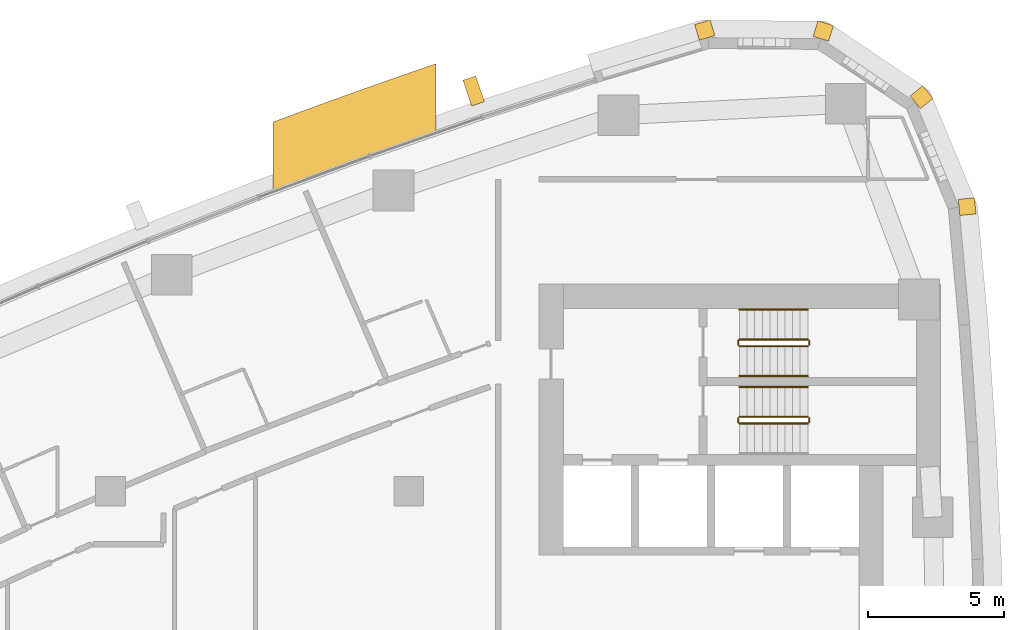
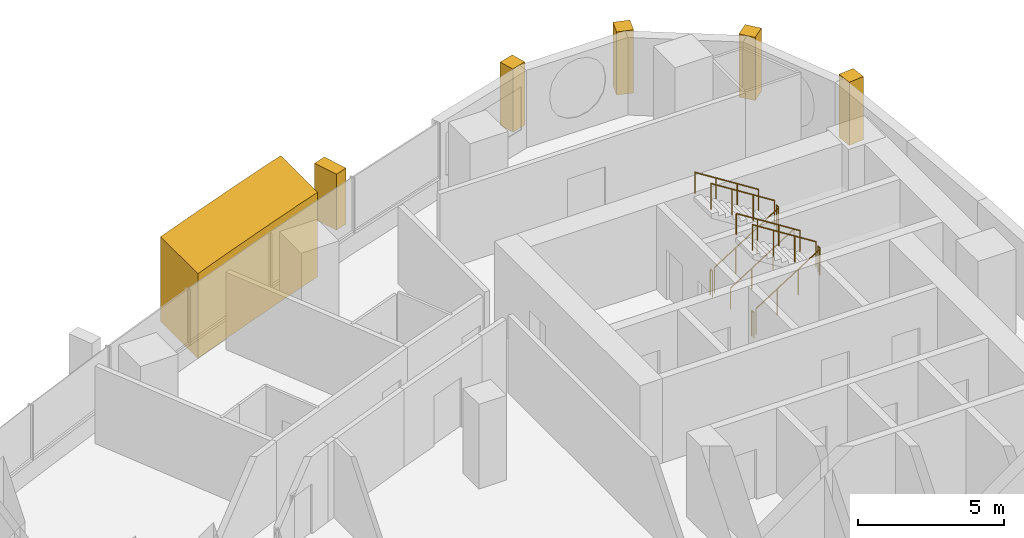
# One storey, part 17 of 17: 11 railings, 6 coverings.
"""IFC4 building model written with IfcOpenShell, lengths in metres."""

import ifcopenshell
import ifcopenshell.guid

model = None  # the IFC model being written
_history = None  # IfcOwnerHistory: only IFC2X3 demands one
_inside = {}  # id of a spatial element -> (the spatial element, [elements in it])
_under = {}  # id of a project, library or spatial element -> (it, [spatial elements below it])
_declared = {}  # id of a project -> (the project, [libraries it declares])
_typed = {}  # id of a type object -> (the type object, [elements of that type])
_made_of = {}  # id of a material, layer set ... -> (it, [elements and type objects made of it])


def new_model(schema):
    """Start an empty IFC model of exactly this schema.

    Asked for "IFC4X3", IfcOpenShell would pick the latest addendum, in which some entities
    have other attributes; the version numbers below select the first issue.
    IFC2X3 requires an IfcOwnerHistory on every rooted entity: one is made here for all.
    """
    global model, _history
    if schema == "IFC4X3":
        model = ifcopenshell.file(schema_version=(4, 3, 0, 0))
    else:
        model = ifcopenshell.file(schema=schema)
    _inside.clear()
    _under.clear()
    _declared.clear()
    _typed.clear()
    _made_of.clear()
    _history = None
    if model.schema == "IFC2X3":
        org = make("IfcOrganization", Name="unknown")
        user = make(
            "IfcPersonAndOrganization",
            ThePerson=make("IfcPerson", FamilyName="unknown"),
            TheOrganization=org,
        )
        app = make(
            "IfcApplication",
            ApplicationDeveloper=org,
            Version="unknown",
            ApplicationFullName="unknown",
            ApplicationIdentifier="unknown",
        )
        _history = make(
            "IfcOwnerHistory",
            OwningUser=user,
            OwningApplication=app,
            ChangeAction="ADDED",
            CreationDate=0,
        )
    return model


def make(cls, **values):
    """One entity of the class cls with the attributes given. An attribute that is None is left unset."""
    return model.create_entity(
        cls, **{name: value for name, value in values.items() if value is not None}
    )


def rooted(cls, **values):
    """An entity with a GlobalId (a new one), such as an element, a storey or a relation."""
    return make(cls, GlobalId=ifcopenshell.guid.new(), OwnerHistory=_history, **values)


def si_unit(unit_type, name, prefix=None):
    """IfcSIUnit, for example si_unit("LENGTHUNIT", "METRE", prefix="MILLI")."""
    return make("IfcSIUnit", UnitType=unit_type, Prefix=prefix, Name=name)


def assignment(units):
    """IfcUnitAssignment: the units of a project."""
    return None if units is None else make("IfcUnitAssignment", Units=units)


def point(xyz):
    """IfcCartesianPoint."""
    return None if xyz is None else make("IfcCartesianPoint", Coordinates=xyz)


def direction(xyz):
    """IfcDirection."""
    return None if xyz is None else make("IfcDirection", DirectionRatios=xyz)


def frame(location, z_axis=None, x_axis=None):
    """IfcAxis2Placement3D, a coordinate frame: its origin and axes. An axis left out is left unset."""
    return make(
        "IfcAxis2Placement3D",
        Location=point(location),
        Axis=direction(z_axis),
        RefDirection=direction(x_axis),
    )


def frame_2d(location, x_axis=None):
    """IfcAxis2Placement2D, a coordinate frame in the plane: its origin and x axis."""
    return make(
        "IfcAxis2Placement2D", Location=point(location), RefDirection=direction(x_axis)
    )


def origin():
    """The frame at (0, 0, 0) with its axes left unset."""
    return frame((0.0, 0.0, 0.0))


def origin_2d():
    """The frame at (0, 0) in the plane with its x axis left unset."""
    return frame_2d((0.0, 0.0))


def place(relative_to, where):
    """IfcLocalPlacement: puts the frame where relative to a parent placement (None: the world)."""
    return make(
        "IfcLocalPlacement", PlacementRelTo=relative_to, RelativePlacement=where
    )


def context(
    kind, dimensions, precision=None, world=None, true_north=None, identifier=None
):
    """IfcGeometricRepresentationContext, for example the 3D "Model" context."""
    return make(
        "IfcGeometricRepresentationContext",
        ContextIdentifier=identifier,
        ContextType=kind,
        CoordinateSpaceDimension=dimensions,
        Precision=precision,
        WorldCoordinateSystem=world,
        TrueNorth=true_north,
    )


def subcontext(parent, identifier, kind, view, scale=None):
    """IfcGeometricRepresentationSubContext, for example "Body" below "Model"."""
    return make(
        "IfcGeometricRepresentationSubContext",
        ContextIdentifier=identifier,
        ContextType=kind,
        ParentContext=parent,
        TargetScale=scale,
        TargetView=view,
    )


def project(units=None, contexts=None):
    """IfcProject with its units and contexts."""
    return rooted(
        "IfcProject",
        Name="project",
        RepresentationContexts=contexts,
        UnitsInContext=assignment(units),
    )


def spatial(cls, under=None, at=None, **own):
    """A site, building, storey or space (cls), placed at a placement, below another one or the project."""
    s = rooted(cls, ObjectPlacement=at, **own)
    if under is not None:
        _under.setdefault(under.id(), (under, []))[1].append(s)
    return s


def polyline(points):
    """IfcPolyline through the points."""
    return make("IfcPolyline", Points=[point(p) for p in points])


def profile(cls, at=None, kind="AREA", **sizes):
    """A parametric profile (cls). Its sizes go by their IFC names, for example OverallWidth=200.0."""
    return make(cls, ProfileType=kind, Position=at, **sizes)


def rectangle(**sizes):
    """IfcRectangleProfileDef."""
    return profile("IfcRectangleProfileDef", **sizes)


def circle(**sizes):
    """IfcCircleProfileDef."""
    return profile("IfcCircleProfileDef", **sizes)


def outline(outer, holes=None, kind="AREA"):
    """IfcArbitraryClosedProfileDef: a profile drawn as a closed curve; with holes, ...WithVoids."""
    if holes is None:
        return make("IfcArbitraryClosedProfileDef", ProfileType=kind, OuterCurve=outer)
    return make(
        "IfcArbitraryProfileDefWithVoids",
        ProfileType=kind,
        OuterCurve=outer,
        InnerCurves=holes,
    )


def extrude(swept, where, along, depth):
    """IfcExtrudedAreaSolid: the profile swept, set in the frame where, extruded along a direction by depth."""
    return make(
        "IfcExtrudedAreaSolid",
        SweptArea=swept,
        Position=where,
        ExtrudedDirection=direction(along),
        Depth=depth,
    )


def shape(context_of_items, identifier, shape_type, items):
    """IfcShapeRepresentation: the items that make up one representation, for example the "Body"."""
    return make(
        "IfcShapeRepresentation",
        ContextOfItems=context_of_items,
        RepresentationIdentifier=identifier,
        RepresentationType=shape_type,
        Items=items,
    )


def material(Name=None, Category=None):
    """IfcMaterial."""
    return make("IfcMaterial", Name=Name, Category=Category)


def layer(
    of_material, thickness, ventilated=None, Name=None, Category=None, Priority=None
):
    """IfcMaterialLayer: one layer of a wall or slab, of a material (None: an air gap)."""
    return make(
        "IfcMaterialLayer",
        Material=of_material,
        LayerThickness=thickness,
        IsVentilated=ventilated,
        Name=Name,
        Category=Category,
        Priority=Priority,
    )


def layer_set(layers, Name=None):
    """IfcMaterialLayerSet."""
    return make("IfcMaterialLayerSet", MaterialLayers=layers, LayerSetName=Name)


def made_of(thing, what):
    """Note that an element or type object is made of a material, layer set ...; save() writes the relation."""
    if what is not None:
        _made_of.setdefault(what.id(), (what, []))[1].append(thing)
    return thing


def type_object(cls, material=None, **own):
    """A type object (cls), such as IfcWallType, which elements share."""
    return made_of(rooted(cls, **own), material)


def element(
    cls,
    number,
    at=None,
    inside=None,
    cuts=None,
    type_object=None,
    material=None,
    context=None,
    identifier="Body",
    shape_type=None,
    held_by="IfcProductDefinitionShape",
    body=None,
    shapes=None,
    **own,
):
    """One element of the class cls, such as IfcWall. Its Tag is "e" and its number.

    at: its placement. inside: the storey or other place that contains it. cuts: it is an
    opening in that element (IfcRelVoidsElement). A single representation is given by context,
    identifier, shape_type and body (its items); several are given by shapes. held_by: the class
    of the entity that holds the representations. save() writes the other relations.
    """
    e = rooted(cls, Tag="e%d" % number, ObjectPlacement=at, **own)
    if body is not None:
        shapes = [shape(context, identifier, shape_type, body)]
    if shapes is not None:
        e.Representation = make(held_by, Representations=shapes)
    if inside is not None:
        _inside.setdefault(inside.id(), (inside, []))[1].append(e)
    if cuts is not None:
        rooted(
            "IfcRelVoidsElement", RelatingBuildingElement=cuts, RelatedOpeningElement=e
        )
    if type_object is not None:
        _typed.setdefault(type_object.id(), (type_object, []))[1].append(e)
    return made_of(e, material)


def aggregate(whole, parts):
    """IfcRelAggregates: a whole, such as a stair, and the parts it consists of."""
    return rooted("IfcRelAggregates", RelatingObject=whole, RelatedObjects=parts)


def save(model, path):
    """Write the relations noted so far, then the file.

    IfcRelAggregates (storeys below a building ...), IfcRelContainedInSpatialStructure (elements
    in a storey), IfcRelDefinesByType, IfcRelAssociatesMaterial and IfcRelDeclares: one each for
    every whole, place, type object, material and project.
    """
    for whole, parts in _under.values():
        aggregate(whole, parts)
    for where, things in _inside.values():
        rooted(
            "IfcRelContainedInSpatialStructure",
            RelatedElements=things,
            RelatingStructure=where,
        )
    for kind, things in _typed.values():
        rooted("IfcRelDefinesByType", RelatedObjects=things, RelatingType=kind)
    for what, things in _made_of.values():
        rooted("IfcRelAssociatesMaterial", RelatedObjects=things, RelatingMaterial=what)
    for by, libraries in _declared.values():
        rooted("IfcRelDeclares", RelatingContext=by, RelatedDefinitions=libraries)
    model.write(path)


model = new_model("IFC4")

# Units and contexts
model_context = context("Model", 3, precision=1e-05, world=origin(), true_north=direction((0.0, 1.0)))
body_context = subcontext(model_context, "Body", "Model", "MODEL_VIEW")
ifc_project = project(units=[si_unit("LENGTHUNIT", "METRE"), si_unit("AREAUNIT", "SQUARE_METRE"), si_unit("VOLUMEUNIT", "CUBIC_METRE"), si_unit("PLANEANGLEUNIT", "RADIAN"), si_unit("MASSUNIT", "GRAM", prefix="KILO")], contexts=[model_context])

# Site, building, storey
site_placement = place(None, origin())
site = spatial("IfcSite", under=ifc_project, at=site_placement, CompositionType="ELEMENT")
building_placement = place(site_placement, origin())
building = spatial("IfcBuilding", under=site, at=building_placement, Name="Ostrand Prow Hotel Tower", CompositionType="ELEMENT")
storey_placement = place(building_placement, frame((0.0, 0.0, 140.85009765625)))
storey = spatial("IfcBuildingStorey", under=building, at=storey_placement, Name="L34", CompositionType="ELEMENT", Elevation=140.85009765625)

# Coverings
ifc_material_1 = material(Name="Limestone cladding", Category="masonry")
ifc_layer_1 = layer(ifc_material_1, 5.0)
ifc_layer_set_1 = layer_set([ifc_layer_1], Name="Limestone cladding")
covering_type_1 = type_object("IfcCoveringType", Name="Portal jamb pilaster limestone", PredefinedType="CLADDING", material=ifc_layer_set_1)
covering_1_placement = place(storey_placement, origin())
element("IfcCovering", 1, at=covering_1_placement, inside=storey, type_object=covering_type_1, Name="Portal jamb NB L34", PredefinedType="CLADDING", context=body_context, shape_type="SweptSolid", body=[
    extrude(outline(polyline([(40.0, 20.058349609375), (41.0, 20.434326171875), (42.0, 20.804931640625), (43.0, 21.169921875), (44.0, 21.529296875), (45.0, 21.883056640625), (46.0, 22.231689453125), (46.0, 24.769287109375), (45.0, 24.425048828125), (44.0, 24.075439453125), (43.0, 23.720458984375), (42.0, 23.360107421875), (41.0, 22.994140625), (40.0, 22.622802734375), (40.0, 20.058349609375)])), origin(), (0.0, 0.0, 1.0), 3.5498046875),
])
ifc_material_2 = material(Name="Limestone cladding", Category="masonry")
ifc_layer_2 = layer(ifc_material_2, 0.5)
ifc_layer_set_2 = layer_set([ifc_layer_2], Name="Limestone cladding")
covering_type_2 = type_object("IfcCoveringType", Name="Precast stone fin 500x900", PredefinedType="CLADDING", material=ifc_layer_set_2)
covering_2_placement = place(storey_placement, frame((47.5546875, 23.290283203125, 0.89990234375), z_axis=(0.0, 0.0, 1.0), x_axis=(-0.319082696504, 0.947726876685, 0.0)))
element("IfcCovering", 2, at=covering_2_placement, inside=storey, type_object=covering_type_2, Name="Stone fin N 2", PredefinedType="CLADDING", context=body_context, shape_type="SweptSolid", body=[
    extrude(rectangle(XDim=1.0, YDim=0.5, at=frame_2d((0.5, 0.0))), origin(), (0.0, 0.0, 1.0), 2.35009765625),
])
ifc_material_3 = material(Name="Limestone cladding", Category="masonry")
ifc_layer_3 = layer(ifc_material_3, 0.60009765625)
ifc_layer_set_3 = layer_set([ifc_layer_3], Name="Limestone cladding")
covering_type_3 = type_object("IfcCoveringType", Name="Precast stone prow rib 600x600", PredefinedType="CLADDING", material=ifc_layer_set_3)
covering_3_placement = place(storey_placement, frame((65.296875, 19.467529296875, 0.599853515625), z_axis=(0.0, 0.0, 1.0), x_axis=(0.994854249607, 0.101316445052, 0.0)))
element("IfcCovering", 3, at=covering_3_placement, inside=storey, type_object=covering_type_3, Name="Stone corner rib 14a", PredefinedType="CLADDING", context=body_context, shape_type="SweptSolid", body=[
    extrude(rectangle(XDim=0.60009765625, YDim=0.60009765625, at=frame_2d((0.300048828125, 0.0))), origin(), (0.0, 0.0, 1.0), 2.650146484375),
])
for number, where, z_axis, x_axis, name in (
    (4, (63.68505859375, 23.34521484375, 0.599853515625), (0.0, 0.0, 1.0), (0.773830327772, 0.633392945825, 0.0), "Stone corner rib 15a"),
    (5, (60.201171875, 25.689697265625, 0.599853515625), (0.0, 0.0, 1.0), (0.295515682615, 0.955337888565, 0.0), "Stone corner rib 16a"),
):
    element("IfcCovering", number, at=place(storey_placement, frame(where, z_axis=z_axis, x_axis=x_axis)), inside=storey, type_object=covering_type_3, Name=name, PredefinedType="CLADDING", context=body_context, shape_type="SweptSolid", body=[
        extrude(rectangle(XDim=0.599853515625, YDim=0.60009765625, at=frame_2d((0.2998046875, 0.0))), origin(), (0.0, 0.0, 1.0), 2.650146484375),
    ])
covering_4_placement = place(storey_placement, frame((56.001953125, 25.722412109375, 0.599853515625), z_axis=(0.0, 0.0, 1.0), x_axis=(-0.280734221166, 0.959785547436, 0.0)))
element("IfcCovering", 6, at=covering_4_placement, inside=storey, type_object=covering_type_3, Name="Stone corner rib 16b", PredefinedType="CLADDING", context=body_context, shape_type="SweptSolid", body=[
    extrude(rectangle(XDim=0.60009765625, YDim=0.60009765625, at=frame_2d((0.300048828125, 0.0))), origin(), (0.0, 0.0, 1.0), 2.650146484375),
])

# Railings
ifc_material_4 = material(Name="Painted steel", Category="steel")
railing_type_1 = type_object("IfcRailingType", Name="Stair guard 1100", PredefinedType="GUARDRAIL", material=ifc_material_4)
railing_1_placement = place(storey_placement, frame((57.199951171875, 11.5, 0.177490234375)))
element("IfcRailing", 7, at=railing_1_placement, inside=storey, type_object=railing_type_1, Name="L34 ST1C stair guard 1", PredefinedType="GUARDRAIL", context=body_context, shape_type="SweptSolid", body=[
    extrude(circle(Radius=0.02392578125, at=origin_2d()), frame((0.0, 0.0, 1.076171875), z_axis=(0.84460694969, 0.0, 0.535386869969), x_axis=(0.0, 1.0, 0.0)), (0.0, 0.0, 1.0), 2.983642578125),
    extrude(circle(Radius=0.02099609375, at=origin_2d()), origin(), (0.0, 0.0, 1.0), 1.052001953125),
    extrude(circle(Radius=0.02099609375, at=origin_2d()), frame((0.840087890625, 0.0, 0.532470703125)), (0.0, 0.0, 1.0), 1.052001953125),
    extrude(circle(Radius=0.02099609375, at=origin_2d()), frame((1.679931640625, 0.0, 1.06494140625)), (0.0, 0.0, 1.0), 1.052001953125),
    extrude(circle(Radius=0.02099609375, at=origin_2d()), frame((2.52001953125, 0.0, 1.597412109375)), (0.0, 0.0, 1.0), 1.052001953125),
])
railing_2_placement = place(storey_placement, frame((59.77001953125, 11.550048828125, 1.77490234375)))
element("IfcRailing", 8, at=railing_2_placement, inside=storey, type_object=railing_type_1, Name="L34 ST1C stair guard 2", PredefinedType="GUARDRAIL", context=body_context, shape_type="SweptSolid", body=[
    extrude(circle(Radius=0.02392578125, at=origin_2d()), frame((0.0, 0.0, 1.076171875), z_axis=(0.0, 1.0, 0.0), x_axis=(-1.0, 0.0, 0.0)), (0.0, 0.0, 1.0), 0.14990234375),
    extrude(circle(Radius=0.02099609375, at=origin_2d()), origin(), (0.0, 0.0, 1.0), 1.052001953125),
    extrude(circle(Radius=0.02099609375, at=origin_2d()), frame((0.0, 0.14990234375, 0.0)), (0.0, 0.0, 1.0), 1.052001953125),
])
railing_3_placement = place(storey_placement, frame((59.719970703125, 11.75, 1.952392578125)))
element("IfcRailing", 9, at=railing_3_placement, inside=storey, type_object=railing_type_1, Name="L34 ST1C stair guard 3", PredefinedType="GUARDRAIL", context=body_context, shape_type="SweptSolid", body=[
    extrude(circle(Radius=0.02392578125, at=origin_2d()), frame((0.0, 0.0, 1.076171875), z_axis=(-0.84460694969, 0.0, 0.535386869969), x_axis=(0.0, -1.0, 0.0)), (0.0, 0.0, 1.0), 2.983642578125),
    extrude(circle(Radius=0.02099609375, at=origin_2d()), origin(), (0.0, 0.0, 1.0), 1.052001953125),
    extrude(circle(Radius=0.02099609375, at=origin_2d()), frame((-0.840087890625, 0.0, 0.532470703125)), (0.0, 0.0, 1.0), 1.052001953125),
    extrude(circle(Radius=0.02099609375, at=origin_2d()), frame((-1.679931640625, 0.0, 1.06494140625)), (0.0, 0.0, 1.0), 1.052001953125),
    extrude(circle(Radius=0.02099609375, at=origin_2d()), frame((-2.52001953125, 0.0, 1.597412109375)), (0.0, 0.0, 1.0), 1.052001953125),
])
railing_4_placement = place(storey_placement, frame((57.14990234375, 11.550048828125, 0.0)))
element("IfcRailing", 10, at=railing_4_placement, inside=storey, type_object=railing_type_1, Name="L34 ST1C stair guard 4", PredefinedType="GUARDRAIL", context=body_context, shape_type="SweptSolid", body=[
    extrude(circle(Radius=0.02392578125, at=origin_2d()), frame((0.0, 0.0, 1.076171875), z_axis=(0.0, 1.0, 0.0), x_axis=(-1.0, 0.0, 0.0)), (0.0, 0.0, 1.0), 0.14990234375),
    extrude(circle(Radius=0.02099609375, at=origin_2d()), origin(), (0.0, 0.0, 1.0), 1.052001953125),
    extrude(circle(Radius=0.02099609375, at=origin_2d()), frame((0.0, 0.14990234375, 0.0)), (0.0, 0.0, 1.0), 1.052001953125),
])
railing_5_placement = place(storey_placement, frame((57.199951171875, 14.35009765625, 0.177490234375)))
element("IfcRailing", 11, at=railing_5_placement, inside=storey, type_object=railing_type_1, Name="L34 ST3C stair guard 1", PredefinedType="GUARDRAIL", context=body_context, shape_type="SweptSolid", body=[
    extrude(circle(Radius=0.02392578125, at=origin_2d()), frame((0.0, 0.0, 1.076171875), z_axis=(0.84460694969, 0.0, 0.535386869969), x_axis=(0.0, 1.0, 0.0)), (0.0, 0.0, 1.0), 2.983642578125),
    extrude(circle(Radius=0.02099609375, at=origin_2d()), origin(), (0.0, 0.0, 1.0), 1.052001953125),
    extrude(circle(Radius=0.02099609375, at=origin_2d()), frame((0.840087890625, 0.0, 0.532470703125)), (0.0, 0.0, 1.0), 1.052001953125),
    extrude(circle(Radius=0.02099609375, at=origin_2d()), frame((1.679931640625, 0.0, 1.06494140625)), (0.0, 0.0, 1.0), 1.052001953125),
    extrude(circle(Radius=0.02099609375, at=origin_2d()), frame((2.52001953125, 0.0, 1.597412109375)), (0.0, 0.0, 1.0), 1.052001953125),
])
railing_6_placement = place(storey_placement, frame((59.77001953125, 14.39990234375, 1.77490234375)))
element("IfcRailing", 12, at=railing_6_placement, inside=storey, type_object=railing_type_1, Name="L34 ST3C stair guard 2", PredefinedType="GUARDRAIL", context=body_context, shape_type="SweptSolid", body=[
    extrude(circle(Radius=0.02392578125, at=origin_2d()), frame((0.0, 0.0, 1.076171875), z_axis=(0.0, 1.0, 0.0), x_axis=(-1.0, 0.0, 0.0)), (0.0, 0.0, 1.0), 0.150146484375),
    extrude(circle(Radius=0.02099609375, at=origin_2d()), origin(), (0.0, 0.0, 1.0), 1.052001953125),
    extrude(circle(Radius=0.02099609375, at=origin_2d()), frame((0.0, 0.150146484375, 0.0)), (0.0, 0.0, 1.0), 1.052001953125),
])
railing_7_placement = place(storey_placement, frame((59.719970703125, 14.60009765625, 1.952392578125)))
element("IfcRailing", 13, at=railing_7_placement, inside=storey, type_object=railing_type_1, Name="L34 ST3C stair guard 3", PredefinedType="GUARDRAIL", context=body_context, shape_type="SweptSolid", body=[
    extrude(circle(Radius=0.02392578125, at=origin_2d()), frame((0.0, 0.0, 1.076171875), z_axis=(-0.84460694969, 0.0, 0.535386869969), x_axis=(0.0, -1.0, 0.0)), (0.0, 0.0, 1.0), 2.983642578125),
    extrude(circle(Radius=0.02099609375, at=origin_2d()), origin(), (0.0, 0.0, 1.0), 1.052001953125),
    extrude(circle(Radius=0.02099609375, at=origin_2d()), frame((-0.840087890625, 0.0, 0.532470703125)), (0.0, 0.0, 1.0), 1.052001953125),
    extrude(circle(Radius=0.02099609375, at=origin_2d()), frame((-1.679931640625, 0.0, 1.06494140625)), (0.0, 0.0, 1.0), 1.052001953125),
    extrude(circle(Radius=0.02099609375, at=origin_2d()), frame((-2.52001953125, 0.0, 1.597412109375)), (0.0, 0.0, 1.0), 1.052001953125),
])
railing_8_placement = place(storey_placement, frame((57.14990234375, 14.39990234375, 0.0)))
element("IfcRailing", 14, at=railing_8_placement, inside=storey, type_object=railing_type_1, Name="L34 ST3C stair guard 4", PredefinedType="GUARDRAIL", context=body_context, shape_type="SweptSolid", body=[
    extrude(circle(Radius=0.02392578125, at=origin_2d()), frame((0.0, 0.0, 1.076171875), z_axis=(0.0, 1.0, 0.0), x_axis=(-1.0, 0.0, 0.0)), (0.0, 0.0, 1.0), 0.150146484375),
    extrude(circle(Radius=0.02099609375, at=origin_2d()), origin(), (0.0, 0.0, 1.0), 1.052001953125),
    extrude(circle(Radius=0.02099609375, at=origin_2d()), frame((0.0, 0.150146484375, 0.0)), (0.0, 0.0, 1.0), 1.052001953125),
])
ifc_material_5 = material(Name="Stainless steel", Category="steel")
railing_type_2 = type_object("IfcRailingType", Name="Stair handrail 900", PredefinedType="HANDRAIL", material=ifc_material_5)
railing_9_placement = place(storey_placement, frame((59.719970703125, 12.85009765625, 1.952392578125)))
element("IfcRailing", 15, at=railing_9_placement, inside=storey, type_object=railing_type_2, Name="L34 ST1C stair handrail 2", PredefinedType="HANDRAIL", context=body_context, shape_type="SweptSolid", body=[
    extrude(circle(Radius=0.02392578125, at=origin_2d()), frame((0.0, 0.0, 0.8759765625), z_axis=(-0.84460694969, 0.0, 0.535386869969), x_axis=(0.0, -1.0, 0.0)), (0.0, 0.0, 1.0), 2.983642578125),
    extrude(circle(Radius=0.02099609375, at=origin_2d()), origin(), (0.0, 0.0, 1.0), 0.851806640625),
    extrude(circle(Radius=0.02099609375, at=origin_2d()), frame((-0.840087890625, 0.0, 0.532470703125)), (0.0, 0.0, 1.0), 0.851806640625),
    extrude(circle(Radius=0.02099609375, at=origin_2d()), frame((-1.679931640625, 0.0, 1.06494140625)), (0.0, 0.0, 1.0), 0.851806640625),
    extrude(circle(Radius=0.02099609375, at=origin_2d()), frame((-2.52001953125, 0.0, 1.597412109375)), (0.0, 0.0, 1.0), 0.851806640625),
])
railing_10_placement = place(storey_placement, frame((57.199951171875, 13.25, 0.177490234375)))
element("IfcRailing", 16, at=railing_10_placement, inside=storey, type_object=railing_type_2, Name="L34 ST3C stair handrail 1", PredefinedType="HANDRAIL", context=body_context, shape_type="SweptSolid", body=[
    extrude(circle(Radius=0.02392578125, at=origin_2d()), frame((0.0, 0.0, 0.8759765625), z_axis=(0.84460694969, 0.0, 0.535386869969), x_axis=(0.0, 1.0, 0.0)), (0.0, 0.0, 1.0), 2.983642578125),
    extrude(circle(Radius=0.02099609375, at=origin_2d()), origin(), (0.0, 0.0, 1.0), 0.851806640625),
    extrude(circle(Radius=0.02099609375, at=origin_2d()), frame((0.840087890625, 0.0, 0.532470703125)), (0.0, 0.0, 1.0), 0.851806640625),
    extrude(circle(Radius=0.02099609375, at=origin_2d()), frame((1.679931640625, 0.0, 1.06494140625)), (0.0, 0.0, 1.0), 0.851806640625),
    extrude(circle(Radius=0.02099609375, at=origin_2d()), frame((2.52001953125, 0.0, 1.597412109375)), (0.0, 0.0, 1.0), 0.851806640625),
])
railing_11_placement = place(storey_placement, frame((59.719970703125, 15.699951171875, 1.952392578125)))
element("IfcRailing", 17, at=railing_11_placement, inside=storey, type_object=railing_type_2, Name="L34 ST3C stair handrail 2", PredefinedType="HANDRAIL", context=body_context, shape_type="SweptSolid", body=[
    extrude(circle(Radius=0.02392578125, at=origin_2d()), frame((0.0, 0.0, 0.8759765625), z_axis=(-0.84460694969, 0.0, 0.535386869969), x_axis=(0.0, -1.0, 0.0)), (0.0, 0.0, 1.0), 2.983642578125),
    extrude(circle(Radius=0.02099609375, at=origin_2d()), origin(), (0.0, 0.0, 1.0), 0.851806640625),
    extrude(circle(Radius=0.02099609375, at=origin_2d()), frame((-0.840087890625, 0.0, 0.532470703125)), (0.0, 0.0, 1.0), 0.851806640625),
    extrude(circle(Radius=0.02099609375, at=origin_2d()), frame((-1.679931640625, 0.0, 1.06494140625)), (0.0, 0.0, 1.0), 0.851806640625),
    extrude(circle(Radius=0.02099609375, at=origin_2d()), frame((-2.52001953125, 0.0, 1.597412109375)), (0.0, 0.0, 1.0), 0.851806640625),
])

save(model, "model.ifc")
